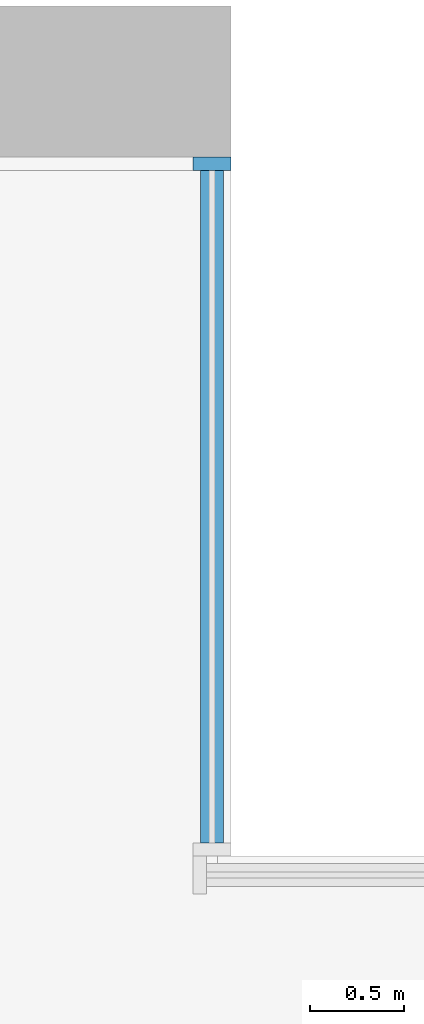
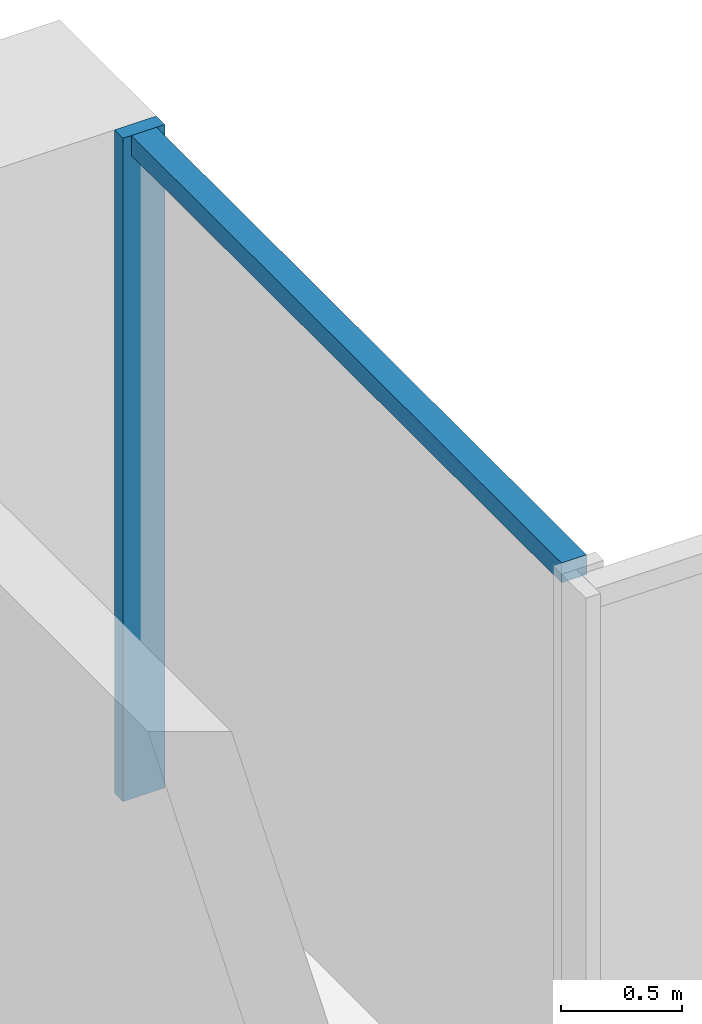
# One storey, part 6 of 15: 2 members, 1 element without a shape of its own.
"""IFC4 building model written with IfcOpenShell, lengths in metres."""

from ifc_helpers import new_model, si_unit, direction, frame, origin, origin_2d, place, context, subcontext, project, spatial, rectangle, extrude, material, material_profile, profile_set, type_object, element, aggregate, save


model = new_model("IFC4")

# Units and contexts
model_context = context("Model", 3, precision=1e-05, world=origin(), true_north=direction((0.0, 1.0)))
body_context = subcontext(model_context, "Body", "Model", "MODEL_VIEW")
ifc_project = project(units=[si_unit("LENGTHUNIT", "METRE"), si_unit("AREAUNIT", "SQUARE_METRE"), si_unit("VOLUMEUNIT", "CUBIC_METRE"), si_unit("PLANEANGLEUNIT", "RADIAN"), si_unit("MASSUNIT", "GRAM", prefix="KILO")], contexts=[model_context])

# Site, building, storey
site_placement = place(None, origin())
site = spatial("IfcSite", under=ifc_project, at=site_placement, CompositionType="ELEMENT")
building_placement = place(site_placement, origin())
building = spatial("IfcBuilding", under=site, at=building_placement, Name="Calvaro Tower", CompositionType="ELEMENT")
storey_placement = place(building_placement, frame((0.0, 0.0, 117.5)))
storey = spatial("IfcBuildingStorey", under=building, at=storey_placement, Name="L29", CompositionType="ELEMENT", Elevation=117.5)

# Curtain wall, members
ifc_material_1 = material(Name="Anodised aluminium", Category="aluminium")
curtain_wall_type = type_object("IfcCurtainWallType", Name="Office curtain wall, middle zone", PredefinedType="NOTDEFINED", material=ifc_material_1)
curtain_wall_placement = place(storey_placement, origin())
curtain_wall = element("IfcCurtainWall", 1, at=curtain_wall_placement, inside=storey, type_object=curtain_wall_type, Name="CW2 corner curtain wall", PredefinedType="NOTDEFINED")
ifc_material_2 = material(Name="Anodised aluminium", Category="aluminium")
ifc_material_profile_1 = material_profile(ifc_material_2, rectangle(XDim=0.199951171875, YDim=0.070068359375, at=origin_2d()), Name="Mullion S2 70 x 200")
ifc_profile_set_1 = profile_set([ifc_material_profile_1], Name="Anodised aluminium")
member_type_1 = type_object("IfcMemberType", Name="Mullion S2 70 x 200", PredefinedType="MULLION", material=ifc_profile_set_1)
member_1_placement = place(storey_placement, frame((66.35009765625, 45.1650390625, 0.0), z_axis=(0.0, 0.0, 1.0), x_axis=(-1.0, 0.0, 0.0)))
member_1 = element("IfcMember", 2, at=member_1_placement, type_object=member_type_1, Name="CW2 mullion 2", PredefinedType="MULLION", context=body_context, shape_type="SweptSolid", body=[
    extrude(rectangle(XDim=0.199951171875, YDim=0.070068359375, at=origin_2d()), origin(), (0.0, 0.0, 1.0), 3.35009765625),
])
ifc_material_3 = material(Name="Anodised aluminium", Category="aluminium")
ifc_material_profile_2 = material_profile(ifc_material_3, rectangle(XDim=0.1201171875, YDim=0.10009765625, at=origin_2d()), Name="Transom S2 100 x 120")
ifc_profile_set_2 = profile_set([ifc_material_profile_2], Name="Anodised aluminium")
member_type_2 = type_object("IfcMemberType", Name="Transom S2 100 x 120", PredefinedType="USERDEFINED", material=ifc_profile_set_2)
member_2_placement = place(storey_placement, frame((66.35009765625, 41.570068359375, 3.300048828125), z_axis=(0.0, 1.0, 0.0), x_axis=(-1.0, 0.0, 0.0)))
member_2 = element("IfcMember", 3, at=member_2_placement, type_object=member_type_2, Name="CW2 transom 1.1", ObjectType="TRANSOM", PredefinedType="USERDEFINED", context=body_context, shape_type="SweptSolid", body=[
    extrude(rectangle(XDim=0.1201171875, YDim=0.10009765625, at=origin_2d()), origin(), (0.0, 0.0, 1.0), 3.559814453125),
])
aggregate(curtain_wall, [member_1, member_2])

save(model, "model.ifc")
